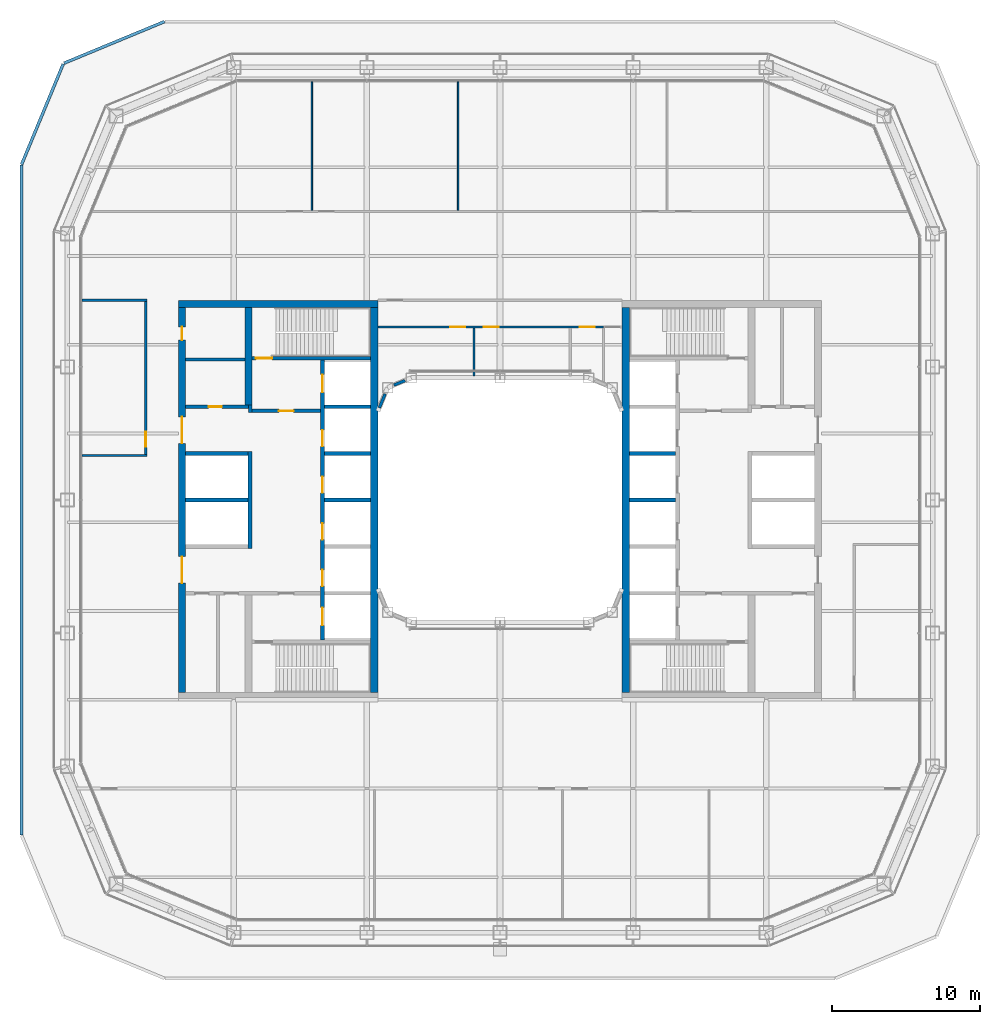
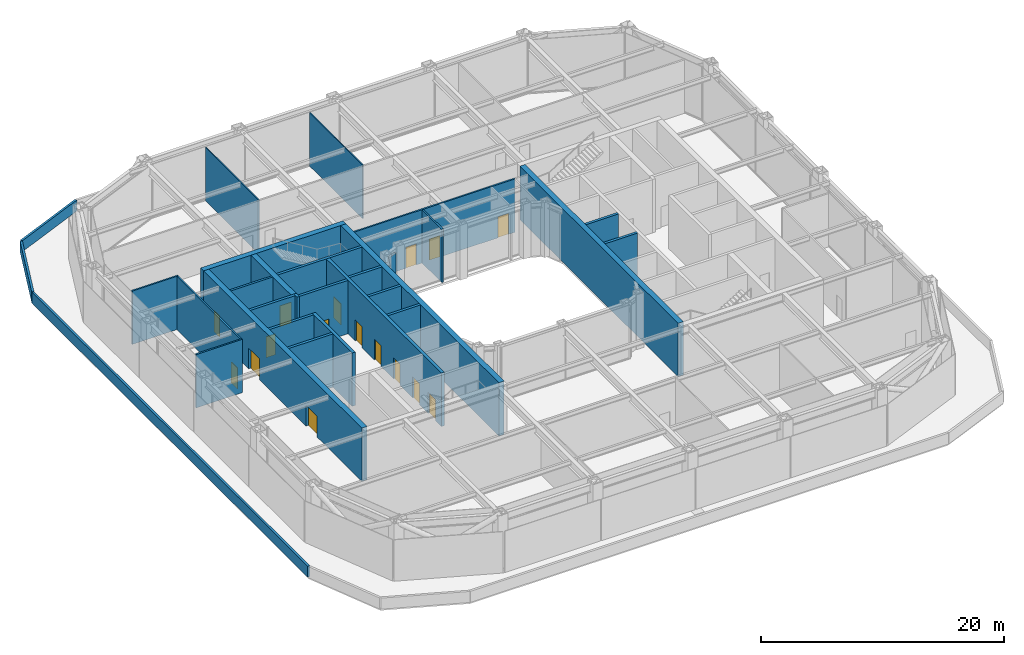
# One storey, part 12 of 21: 31 walls, 16 doors, 16 openings.
"""IFC4 building model written with IfcOpenShell, lengths in metres."""

from ifc_helpers import new_model, si_unit, direction, frame, frame_2d, origin, place, context, subcontext, project, spatial, rectangle, extrude, material, layer, layer_set, type_object, element, fill, save


model = new_model("IFC4")

# Units and contexts
model_context = context("Model", 3, precision=1e-05, world=origin(), true_north=direction((0.0, 1.0)))
body_context = subcontext(model_context, "Body", "Model", "MODEL_VIEW")
ifc_project = project(units=[si_unit("LENGTHUNIT", "METRE"), si_unit("AREAUNIT", "SQUARE_METRE"), si_unit("VOLUMEUNIT", "CUBIC_METRE"), si_unit("PLANEANGLEUNIT", "RADIAN"), si_unit("MASSUNIT", "GRAM", prefix="KILO")], contexts=[model_context])

# Site, building, storey
site_placement = place(None, origin())
site = spatial("IfcSite", under=ifc_project, at=site_placement, CompositionType="ELEMENT")
building_placement = place(site_placement, origin())
building = spatial("IfcBuilding", under=site, at=building_placement, Name="Siwar Civic Tower", CompositionType="ELEMENT")
storey_placement = place(building_placement, frame((0.0, 0.0, 99.199951171875)))
storey = spatial("IfcBuildingStorey", under=building, at=storey_placement, Name="L21", CompositionType="ELEMENT", Elevation=99.199951171875)

# Wall
ifc_material_1 = material(Name="Gypsum board on steel studs", Category="steel")
ifc_layer_1 = layer(ifc_material_1, 0.199951171875)
ifc_layer_set_1 = layer_set([ifc_layer_1], Name="Gypsum board on steel studs")
wall_type_1 = type_object("IfcWallType", Name="CORE-PARTITION-200", PredefinedType="PARTITIONING", material=ifc_layer_set_1)
wall_1_placement = place(storey_placement, frame((-17.25, 9.5, 0.0), z_axis=(0.0, 0.0, 1.0), x_axis=(-1.0, 0.0, 0.0)))
element("IfcWall", 1, at=wall_1_placement, inside=storey, type_object=wall_type_1, Name="Core partition W", PredefinedType="PARTITIONING", context=body_context, shape_type="SweptSolid", body=[
    extrude(rectangle(XDim=4.0, YDim=0.199951171875, at=frame_2d((2.0, 0.0))), origin(), (0.0, 0.0, 1.0), 5.35009765625),
])

# Wall, opening, door
ifc_material_2 = material(Name="Concrete C60/75", Category="concrete")
ifc_layer_2 = layer(ifc_material_2, 0.25)
ifc_layer_set_2 = layer_set([ifc_layer_2], Name="Concrete C60/75")
wall_type_2 = type_object("IfcWallType", Name="CORE-WALL-RC250", PredefinedType="SHEAR", material=ifc_layer_set_2)
wall_2_placement = place(storey_placement, frame((-12.14990234375, 6.02490234375, 0.0), z_axis=(0.0, 0.0, 1.0), x_axis=(-1.0, 0.0, 0.0)))
wall_2 = element("IfcWall", 2, at=wall_2_placement, inside=storey, type_object=wall_type_2, Name="Core wall W", PredefinedType="SHEAR", context=body_context, shape_type="SweptSolid", body=[
    extrude(rectangle(XDim=4.60009765625, YDim=0.25, at=frame_2d((2.300048828125, 0.0))), origin(), (0.0, 0.0, 1.0), 5.35009765625),
])
opening_1_placement = place(wall_2_placement, frame((1.800048828125, 0.0, 0.0)))
opening_1 = element("IfcOpeningElement", 3, at=opening_1_placement, cuts=wall_2, Name="Opening L21-CW01", PredefinedType="OPENING", context=body_context, shape_type="SweptSolid", body=[
    extrude(rectangle(XDim=1.0, YDim=2.10009765625, at=frame_2d((0.5, 1.050048828125))), frame((0.0, 0.135009765625, 0.0), z_axis=(0.0, -1.0, 0.0), x_axis=(1.0, 0.0, 0.0)), (0.0, 0.0, 1.0), 0.27001953125),
])
ifc_material_3 = material(Name="Steel door leaf", Category="steel")
door_type_1 = type_object("IfcDoorType", Name="CORE-DOOR-FD30S", OperationType="SINGLE_SWING_LEFT", PredefinedType="DOOR", material=ifc_material_3)
door_1_placement = place(opening_1_placement, origin())
door_1 = element("IfcDoor", 4, at=door_1_placement, inside=storey, type_object=door_type_1, Name="Firefighting lobby door L21-CW01", OperationType="SINGLE_SWING_LEFT", OverallHeight=2.10009765625, OverallWidth=1.0, PredefinedType="DOOR", context=body_context, shape_type="SweptSolid", body=[
    extrude(rectangle(XDim=1.0, YDim=2.10009765625, at=frame_2d((0.5, 1.050048828125))), frame((0.0, 0.02490234375, 0.0), z_axis=(0.0, -1.0, 0.0), x_axis=(1.0, 0.0, 0.0)), (0.0, 0.0, 1.0), 0.050048828125),
])
fill(opening_1, door_1)

# Wall
wall_3_placement = place(storey_placement, frame((-16.875, 5.89990234375, 0.0), z_axis=(0.0, 0.0, 1.0), x_axis=(0.0, 1.0, 0.0)))
element("IfcWall", 5, at=wall_3_placement, inside=storey, type_object=wall_type_2, Name="Core wall W", PredefinedType="SHEAR", context=body_context, shape_type="SweptSolid", body=[
    extrude(rectangle(XDim=0.525146484375, YDim=0.25, at=frame_2d((0.2626953125, 0.0))), origin(), (0.0, 0.0, 1.0), 5.35009765625),
])

# Wall, opening, door
wall_4_placement = place(storey_placement, frame((-17.0, 6.300048828125, 0.0), z_axis=(0.0, 0.0, 1.0), x_axis=(-1.0, 0.0, 0.0)))
wall_4 = element("IfcWall", 6, at=wall_4_placement, inside=storey, type_object=wall_type_2, Name="Core wall W", PredefinedType="SHEAR", context=body_context, shape_type="SweptSolid", body=[
    extrude(rectangle(XDim=4.25, YDim=0.25, at=frame_2d((2.125, 0.0))), origin(), (0.0, 0.0, 1.0), 5.35009765625),
])
opening_2_placement = place(wall_4_placement, frame((1.800048828125, 0.0, 0.0)))
opening_2 = element("IfcOpeningElement", 7, at=opening_2_placement, cuts=wall_4, Name="Opening L21-CW13", PredefinedType="OPENING", context=body_context, shape_type="SweptSolid", body=[
    extrude(rectangle(XDim=0.89990234375, YDim=2.10009765625, at=frame_2d((0.449951171875, 1.050048828125))), frame((0.0, 0.135009765625, 0.0), z_axis=(0.0, -1.0, 0.0), x_axis=(1.0, 0.0, 0.0)), (0.0, 0.0, 1.0), 0.27001953125),
])
ifc_material_4 = material(Name="Steel door leaf", Category="steel")
door_type_2 = type_object("IfcDoorType", Name="CORE-DOOR-ROOM", OperationType="SINGLE_SWING_LEFT", PredefinedType="DOOR", material=ifc_material_4)
door_2_placement = place(opening_2_placement, origin())
door_2 = element("IfcDoor", 8, at=door_2_placement, inside=storey, type_object=door_type_2, Name="Core room door L21-CW13", OperationType="SINGLE_SWING_LEFT", OverallHeight=2.10009765625, OverallWidth=0.89990234375, PredefinedType="DOOR", context=body_context, shape_type="SweptSolid", body=[
    extrude(rectangle(XDim=0.89990234375, YDim=2.10009765625, at=frame_2d((0.449951171875, 1.050048828125))), frame((0.0, 0.02490234375, 0.0), z_axis=(0.0, -1.0, 0.0), x_axis=(1.0, 0.0, 0.0)), (0.0, 0.0, 1.0), 0.050048828125),
])
fill(opening_2, door_2)

# Walls
for number, where, z_axis, x_axis, name in (
    (9, (-17.050048828125, 0.0, 0.0), (0.0, 0.0, 1.0), (-1.0, 0.0, 0.0), "Core wall W"),
    (10, (-17.050048828125, 3.14990234375, 0.0), (0.0, 0.0, 1.0), (-1.0, 0.0, 0.0), "Core wall W"),
):
    element("IfcWall", number, at=place(storey_placement, frame(where, z_axis=z_axis, x_axis=x_axis)), inside=storey, type_object=wall_type_2, Name=name, PredefinedType="SHEAR", context=body_context, shape_type="SweptSolid", body=[
        extrude(rectangle(XDim=4.199951171875, YDim=0.25, at=frame_2d((2.10009765625, 0.0))), origin(), (0.0, 0.0, 1.0), 5.35009765625),
    ])
for number, where, z_axis, x_axis, name in (
    (11, (-8.75, 0.0, 0.0), (0.0, 0.0, 1.0), (-1.0, 0.0, 0.0), "Core wall W"),
    (12, (-8.75, 3.14990234375, 0.0), (0.0, 0.0, 1.0), (-1.0, 0.0, 0.0), "Core wall W"),
    (13, (-8.75, 6.300048828125, 0.0), (0.0, 0.0, 1.0), (-1.0, 0.0, 0.0), "Core wall W"),
):
    element("IfcWall", number, at=place(storey_placement, frame(where, z_axis=z_axis, x_axis=x_axis)), inside=storey, type_object=wall_type_2, Name=name, PredefinedType="SHEAR", context=body_context, shape_type="SweptSolid", body=[
        extrude(rectangle(XDim=3.10009765625, YDim=0.25, at=frame_2d((1.550048828125, 0.0))), origin(), (0.0, 0.0, 1.0), 5.35009765625),
    ])

# Wall, opening, door
wall_5_placement = place(storey_placement, frame((-8.75, 9.574951171875, 0.0), z_axis=(0.0, 0.0, 1.0), x_axis=(-1.0, 0.0, 0.0)))
wall_5 = element("IfcWall", 14, at=wall_5_placement, inside=storey, type_object=wall_type_2, Name="Core wall W", PredefinedType="SHEAR", context=body_context, shape_type="SweptSolid", body=[
    extrude(rectangle(XDim=8.0, YDim=0.25, at=frame_2d((4.0, 0.0))), origin(), (0.0, 0.0, 1.0), 5.35009765625),
])
opening_3_placement = place(wall_5_placement, frame((6.64990234375, 0.0, 0.0)))
opening_3 = element("IfcOpeningElement", 15, at=opening_3_placement, cuts=wall_5, Name="Opening L21-CW03", PredefinedType="OPENING", context=body_context, shape_type="SweptSolid", body=[
    extrude(rectangle(XDim=1.10009765625, YDim=2.10009765625, at=frame_2d((0.550048828125, 1.050048828125))), frame((0.0, 0.135009765625, 0.0), z_axis=(0.0, -1.0, 0.0), x_axis=(1.0, 0.0, 0.0)), (0.0, 0.0, 1.0), 0.27001953125),
])
ifc_material_5 = material(Name="Steel door leaf", Category="steel")
door_type_3 = type_object("IfcDoorType", Name="CORE-DOOR-FD60S", OperationType="SINGLE_SWING_LEFT", PredefinedType="DOOR", material=ifc_material_5)
door_3_placement = place(opening_3_placement, origin())
door_3 = element("IfcDoor", 16, at=door_3_placement, inside=storey, type_object=door_type_3, Name="Stair door L21-CW03", OperationType="SINGLE_SWING_RIGHT", OverallHeight=2.10009765625, OverallWidth=1.10009765625, PredefinedType="DOOR", context=body_context, shape_type="SweptSolid", body=[
    extrude(rectangle(XDim=1.10009765625, YDim=2.10009765625, at=frame_2d((0.550048828125, 1.050048828125))), frame((0.0, 0.02490234375, 0.0), z_axis=(0.0, -1.0, 0.0), x_axis=(1.0, 0.0, 0.0)), (0.0, 0.0, 1.0), 0.050048828125),
])
fill(opening_3, door_3)

# Walls
for number, where, z_axis, x_axis, name in (
    (17, (8.75, 0.0, 0.0), (0.0, 0.0, 1.0), (1.0, 0.0, 0.0), "Core wall E"),
    (18, (8.75, 3.14990234375, 0.0), (0.0, 0.0, 1.0), (1.0, 0.0, 0.0), "Core wall E"),
):
    element("IfcWall", number, at=place(storey_placement, frame(where, z_axis=z_axis, x_axis=x_axis)), inside=storey, type_object=wall_type_2, Name=name, PredefinedType="SHEAR", context=body_context, shape_type="SweptSolid", body=[
        extrude(rectangle(XDim=3.10009765625, YDim=0.25, at=frame_2d((1.550048828125, 0.0))), origin(), (0.0, 0.0, 1.0), 5.35009765625),
    ])

# Wall, openings, doors
ifc_material_6 = material(Name="Concrete C60/75", Category="concrete")
ifc_layer_3 = layer(ifc_material_6, 0.300048828125)
ifc_layer_set_3 = layer_set([ifc_layer_3], Name="Concrete C60/75")
wall_type_3 = type_object("IfcWallType", Name="CORE-WALL-RC300", PredefinedType="SHEAR", material=ifc_layer_set_3)
wall_6_placement = place(storey_placement, frame((-12.0, -9.449951171875, 0.0), z_axis=(0.0, 0.0, 1.0), x_axis=(0.0, 1.0, 0.0)))
wall_6 = element("IfcWall", 19, at=wall_6_placement, inside=storey, type_object=wall_type_3, Name="Core wall W", PredefinedType="SHEAR", context=body_context, shape_type="SweptSolid", body=[
    extrude(rectangle(XDim=18.89990234375, YDim=0.300048828125, at=frame_2d((9.449951171875, 0.0))), origin(), (0.0, 0.0, 1.0), 5.35009765625),
])
opening_4_placement = place(wall_6_placement, frame((3.625, 0.0, 0.0)))
opening_4 = element("IfcOpeningElement", 20, at=opening_4_placement, cuts=wall_6, Name="Opening L21-CW07", PredefinedType="OPENING", context=body_context, shape_type="SweptSolid", body=[
    extrude(rectangle(XDim=1.10009765625, YDim=2.10009765625, at=frame_2d((0.550048828125, 1.050048828125))), frame((0.0, 0.16015625, 0.0), z_axis=(0.0, -1.0, 0.0), x_axis=(1.0, 0.0, 0.0)), (0.0, 0.0, 1.0), 0.320068359375),
])
opening_5_placement = place(wall_6_placement, frame((6.77490234375, 0.0, 0.0)))
opening_5 = element("IfcOpeningElement", 21, at=opening_5_placement, cuts=wall_6, Name="Opening L21-CW08", PredefinedType="OPENING", context=body_context, shape_type="SweptSolid", body=[
    extrude(rectangle(XDim=1.10009765625, YDim=2.10009765625, at=frame_2d((0.550048828125, 1.050048828125))), frame((0.0, 0.16015625, 0.0), z_axis=(0.0, -1.0, 0.0), x_axis=(1.0, 0.0, 0.0)), (0.0, 0.0, 1.0), 0.320068359375),
])
opening_6_placement = place(wall_6_placement, frame((9.925048828125, 0.0, 0.0)))
opening_6 = element("IfcOpeningElement", 22, at=opening_6_placement, cuts=wall_6, Name="Opening L21-CW09", PredefinedType="OPENING", context=body_context, shape_type="SweptSolid", body=[
    extrude(rectangle(XDim=1.10009765625, YDim=2.10009765625, at=frame_2d((0.550048828125, 1.050048828125))), frame((0.0, 0.16015625, 0.0), z_axis=(0.0, -1.0, 0.0), x_axis=(1.0, 0.0, 0.0)), (0.0, 0.0, 1.0), 0.320068359375),
])
opening_7_placement = place(wall_6_placement, frame((13.074951171875, 0.0, 0.0)))
opening_7 = element("IfcOpeningElement", 23, at=opening_7_placement, cuts=wall_6, Name="Opening L21-CW10", PredefinedType="OPENING", context=body_context, shape_type="SweptSolid", body=[
    extrude(rectangle(XDim=1.10009765625, YDim=2.10009765625, at=frame_2d((0.550048828125, 1.050048828125))), frame((0.0, 0.16015625, 0.0), z_axis=(0.0, -1.0, 0.0), x_axis=(1.0, 0.0, 0.0)), (0.0, 0.0, 1.0), 0.320068359375),
])
opening_8_placement = place(wall_6_placement, frame((16.72509765625, 0.0, 0.0)))
opening_8 = element("IfcOpeningElement", 24, at=opening_8_placement, cuts=wall_6, Name="Opening L21-CW11", PredefinedType="OPENING", context=body_context, shape_type="SweptSolid", body=[
    extrude(rectangle(XDim=1.199951171875, YDim=2.10009765625, at=frame_2d((0.60009765625, 1.050048828125))), frame((0.0, 0.16015625, 0.0), z_axis=(0.0, -1.0, 0.0), x_axis=(1.0, 0.0, 0.0)), (0.0, 0.0, 1.0), 0.320068359375),
])
opening_9_placement = place(wall_6_placement, frame((0.97509765625, 0.0, 0.0)))
opening_9 = element("IfcOpeningElement", 25, at=opening_9_placement, cuts=wall_6, Name="Opening L21-CW12", PredefinedType="OPENING", context=body_context, shape_type="SweptSolid", body=[
    extrude(rectangle(XDim=1.199951171875, YDim=2.10009765625, at=frame_2d((0.60009765625, 1.050048828125))), frame((0.0, 0.16015625, 0.0), z_axis=(0.0, -1.0, 0.0), x_axis=(1.0, 0.0, 0.0)), (0.0, 0.0, 1.0), 0.320068359375),
])
ifc_material_7 = material(Name="Steel door leaf", Category="steel")
door_type_4 = type_object("IfcDoorType", Name="CORE-DOOR-LD", OperationType="DOUBLE_DOOR_SLIDING", PredefinedType="DOOR", material=ifc_material_7)
door_4_placement = place(opening_4_placement, origin())
door_4 = element("IfcDoor", 26, at=door_4_placement, inside=storey, type_object=door_type_4, Name="Landing door LR1 L21-CW07", OperationType="DOUBLE_DOOR_SLIDING", OverallHeight=2.10009765625, OverallWidth=1.10009765625, PredefinedType="DOOR", context=body_context, shape_type="SweptSolid", body=[
    extrude(rectangle(XDim=1.10009765625, YDim=2.10009765625, at=frame_2d((0.550048828125, 1.050048828125))), frame((0.0, 0.02490234375, 0.0), z_axis=(0.0, -1.0, 0.0), x_axis=(1.0, 0.0, 0.0)), (0.0, 0.0, 1.0), 0.050048828125),
])
fill(opening_4, door_4)
door_5_placement = place(opening_5_placement, origin())
door_5 = element("IfcDoor", 27, at=door_5_placement, inside=storey, type_object=door_type_4, Name="Landing door LR2 L21-CW08", OperationType="DOUBLE_DOOR_SLIDING", OverallHeight=2.10009765625, OverallWidth=1.10009765625, PredefinedType="DOOR", context=body_context, shape_type="SweptSolid", body=[
    extrude(rectangle(XDim=1.10009765625, YDim=2.10009765625, at=frame_2d((0.550048828125, 1.050048828125))), frame((0.0, 0.02490234375, 0.0), z_axis=(0.0, -1.0, 0.0), x_axis=(1.0, 0.0, 0.0)), (0.0, 0.0, 1.0), 0.050048828125),
])
fill(opening_5, door_5)
door_6_placement = place(opening_6_placement, origin())
door_6 = element("IfcDoor", 28, at=door_6_placement, inside=storey, type_object=door_type_4, Name="Landing door LR3 L21-CW09", OperationType="DOUBLE_DOOR_SLIDING", OverallHeight=2.10009765625, OverallWidth=1.10009765625, PredefinedType="DOOR", context=body_context, shape_type="SweptSolid", body=[
    extrude(rectangle(XDim=1.10009765625, YDim=2.10009765625, at=frame_2d((0.550048828125, 1.050048828125))), frame((0.0, 0.02490234375, 0.0), z_axis=(0.0, -1.0, 0.0), x_axis=(1.0, 0.0, 0.0)), (0.0, 0.0, 1.0), 0.050048828125),
])
fill(opening_6, door_6)
door_7_placement = place(opening_7_placement, origin())
door_7 = element("IfcDoor", 29, at=door_7_placement, inside=storey, type_object=door_type_4, Name="Landing door LR4 L21-CW10", OperationType="DOUBLE_DOOR_SLIDING", OverallHeight=2.10009765625, OverallWidth=1.10009765625, PredefinedType="DOOR", context=body_context, shape_type="SweptSolid", body=[
    extrude(rectangle(XDim=1.10009765625, YDim=2.10009765625, at=frame_2d((0.550048828125, 1.050048828125))), frame((0.0, 0.02490234375, 0.0), z_axis=(0.0, -1.0, 0.0), x_axis=(1.0, 0.0, 0.0)), (0.0, 0.0, 1.0), 0.050048828125),
])
fill(opening_7, door_7)
ifc_material_8 = material(Name="Steel door leaf", Category="steel")
door_type_5 = type_object("IfcDoorType", Name="CORE-DOOR-LDW", OperationType="DOUBLE_DOOR_SLIDING", PredefinedType="DOOR", material=ifc_material_8)
door_8_placement = place(opening_8_placement, origin())
door_8 = element("IfcDoor", 30, at=door_8_placement, inside=storey, type_object=door_type_5, Name="Landing door FF1 L21-CW11", OperationType="DOUBLE_DOOR_SLIDING", OverallHeight=2.10009765625, OverallWidth=1.199951171875, PredefinedType="DOOR", context=body_context, shape_type="SweptSolid", body=[
    extrude(rectangle(XDim=1.199951171875, YDim=2.10009765625, at=frame_2d((0.60009765625, 1.050048828125))), frame((0.0, 0.02490234375, 0.0), z_axis=(0.0, -1.0, 0.0), x_axis=(1.0, 0.0, 0.0)), (0.0, 0.0, 1.0), 0.050048828125),
])
fill(opening_8, door_8)
door_9_placement = place(opening_9_placement, origin())
door_9 = element("IfcDoor", 31, at=door_9_placement, inside=storey, type_object=door_type_5, Name="Landing door SV1 L21-CW12", OperationType="DOUBLE_DOOR_SLIDING", OverallHeight=2.10009765625, OverallWidth=1.199951171875, PredefinedType="DOOR", context=body_context, shape_type="SweptSolid", body=[
    extrude(rectangle(XDim=1.199951171875, YDim=2.10009765625, at=frame_2d((0.60009765625, 1.050048828125))), frame((0.0, 0.02490234375, 0.0), z_axis=(0.0, -1.0, 0.0), x_axis=(1.0, 0.0, 0.0)), (0.0, 0.0, 1.0), 0.050048828125),
])
fill(opening_9, door_9)

# Wall
wall_7_placement = place(storey_placement, frame((-16.89990234375, -3.27490234375, 0.0), z_axis=(0.0, 0.0, 1.0), x_axis=(0.0, 1.0, 0.0)))
element("IfcWall", 32, at=wall_7_placement, inside=storey, type_object=wall_type_3, Name="Core wall W", PredefinedType="SHEAR", context=body_context, shape_type="SweptSolid", body=[
    extrude(rectangle(XDim=6.5498046875, YDim=0.300048828125, at=frame_2d((3.27490234375, 0.0))), origin(), (0.0, 0.0, 1.0), 5.35009765625),
])

# Wall, openings, doors
ifc_material_9 = material(Name="Concrete C60/75", Category="concrete")
ifc_layer_4 = layer(ifc_material_9, 0.5)
ifc_layer_set_4 = layer_set([ifc_layer_4], Name="Concrete C60/75")
wall_type_4 = type_object("IfcWallType", Name="CORE-WALL-RC500", PredefinedType="SHEAR", material=ifc_layer_set_4)
wall_8_placement = place(storey_placement, frame((-21.5, -13.0, 0.0), z_axis=(0.0, 0.0, 1.0), x_axis=(0.0, 1.0, 0.0)))
wall_8 = element("IfcWall", 33, at=wall_8_placement, inside=storey, type_object=wall_type_4, Name="Core wall W", PredefinedType="SHEAR", context=body_context, shape_type="SweptSolid", body=[
    extrude(rectangle(XDim=26.0, YDim=0.5, at=frame_2d((13.0, 0.0))), origin(), (0.0, 0.0, 1.0), 5.35009765625),
])
opening_10_placement = place(wall_8_placement, frame((16.824951171875, 0.0, 0.0)))
opening_10 = element("IfcOpeningElement", 34, at=opening_10_placement, cuts=wall_8, Name="Opening L21-CW05", PredefinedType="OPENING", context=body_context, shape_type="SweptSolid", body=[
    extrude(rectangle(XDim=1.800048828125, YDim=2.10009765625, at=frame_2d((0.89990234375, 1.050048828125))), frame((0.0, 0.260009765625, 0.0), z_axis=(0.0, -1.0, 0.0), x_axis=(1.0, 0.0, 0.0)), (0.0, 0.0, 1.0), 0.52001953125),
])
opening_11_placement = place(wall_8_placement, frame((7.375, 0.0, 0.0)))
opening_11 = element("IfcOpeningElement", 35, at=opening_11_placement, cuts=wall_8, Name="Opening L21-CW06", PredefinedType="OPENING", context=body_context, shape_type="SweptSolid", body=[
    extrude(rectangle(XDim=1.800048828125, YDim=2.10009765625, at=frame_2d((0.89990234375, 1.050048828125))), frame((0.0, 0.260009765625, 0.0), z_axis=(0.0, -1.0, 0.0), x_axis=(1.0, 0.0, 0.0)), (0.0, 0.0, 1.0), 0.52001953125),
])
opening_12_placement = place(wall_8_placement, frame((23.800048828125, 0.0, 0.0)))
opening_12 = element("IfcOpeningElement", 36, at=opening_12_placement, cuts=wall_8, Name="Opening L21-CW14", PredefinedType="OPENING", context=body_context, shape_type="SweptSolid", body=[
    extrude(rectangle(XDim=0.89990234375, YDim=2.10009765625, at=frame_2d((0.449951171875, 1.050048828125))), frame((0.0, 0.260009765625, 0.0), z_axis=(0.0, -1.0, 0.0), x_axis=(1.0, 0.0, 0.0)), (0.0, 0.0, 1.0), 0.52001953125),
])
ifc_material_10 = material(Name="Steel door leaf", Category="steel")
door_type_6 = type_object("IfcDoorType", Name="CORE-DOOR-PORT", OperationType="DOUBLE_DOOR_DOUBLE_SWING", PredefinedType="DOOR", material=ifc_material_10)
door_10_placement = place(opening_10_placement, origin())
door_10 = element("IfcDoor", 37, at=door_10_placement, inside=storey, type_object=door_type_6, Name="Core entrance door L21-CW05", OperationType="DOUBLE_DOOR_DOUBLE_SWING", OverallHeight=2.10009765625, OverallWidth=1.800048828125, PredefinedType="DOOR", context=body_context, shape_type="SweptSolid", body=[
    extrude(rectangle(XDim=1.800048828125, YDim=2.10009765625, at=frame_2d((0.89990234375, 1.050048828125))), frame((0.0, 0.02490234375, 0.0), z_axis=(0.0, -1.0, 0.0), x_axis=(1.0, 0.0, 0.0)), (0.0, 0.0, 1.0), 0.050048828125),
])
fill(opening_10, door_10)
door_11_placement = place(opening_11_placement, origin())
door_11 = element("IfcDoor", 38, at=door_11_placement, inside=storey, type_object=door_type_6, Name="Core entrance door L21-CW06", OperationType="DOUBLE_DOOR_DOUBLE_SWING", OverallHeight=2.10009765625, OverallWidth=1.800048828125, PredefinedType="DOOR", context=body_context, shape_type="SweptSolid", body=[
    extrude(rectangle(XDim=1.800048828125, YDim=2.10009765625, at=frame_2d((0.89990234375, 1.050048828125))), frame((0.0, 0.02490234375, 0.0), z_axis=(0.0, -1.0, 0.0), x_axis=(1.0, 0.0, 0.0)), (0.0, 0.0, 1.0), 0.050048828125),
])
fill(opening_11, door_11)
door_12_placement = place(opening_12_placement, origin())
door_12 = element("IfcDoor", 39, at=door_12_placement, inside=storey, type_object=door_type_2, Name="Core room door L21-CW14", OperationType="SINGLE_SWING_LEFT", OverallHeight=2.10009765625, OverallWidth=0.89990234375, PredefinedType="DOOR", context=body_context, shape_type="SweptSolid", body=[
    extrude(rectangle(XDim=0.89990234375, YDim=2.10009765625, at=frame_2d((0.449951171875, 1.050048828125))), frame((0.0, 0.02490234375, 0.0), z_axis=(0.0, -1.0, 0.0), x_axis=(1.0, 0.0, 0.0)), (0.0, 0.0, 1.0), 0.050048828125),
])
fill(opening_12, door_12)

# Walls
wall_9_placement = place(storey_placement, frame((-17.0, 6.425048828125, 0.0), z_axis=(0.0, 0.0, 1.0), x_axis=(0.0, 1.0, 0.0)))
element("IfcWall", 40, at=wall_9_placement, inside=storey, type_object=wall_type_4, Name="Core wall W", PredefinedType="SHEAR", context=body_context, shape_type="SweptSolid", body=[
    extrude(rectangle(XDim=6.574951171875, YDim=0.5, at=frame_2d((3.28759765625, 0.0))), origin(), (0.0, 0.0, 1.0), 5.35009765625),
])
wall_10_placement = place(storey_placement, frame((-8.25, 13.25, 0.0), z_axis=(0.0, 0.0, 1.0), x_axis=(-1.0, 0.0, 0.0)))
element("IfcWall", 41, at=wall_10_placement, inside=storey, type_object=wall_type_4, Name="Core wall W", PredefinedType="SHEAR", context=body_context, shape_type="SweptSolid", body=[
    extrude(rectangle(XDim=13.5, YDim=0.5, at=frame_2d((6.75, 0.0))), origin(), (0.0, 0.0, 1.0), 5.35009765625),
])
ifc_material_11 = material(Name="Concrete C60/75", Category="concrete")
ifc_layer_5 = layer(ifc_material_11, 0.5)
ifc_layer_set_5 = layer_set([ifc_layer_5], Name="Concrete C60/75")
wall_type_5 = type_object("IfcWallType", Name="CORE-WALL-RC500-EXT", PredefinedType="SHEAR", material=ifc_layer_set_5)
for number, where, z_axis, x_axis, name in (
    (42, (-8.5, -13.0, 0.0), (0.0, 0.0, 1.0), (0.0, 1.0, 0.0), "Core wall W"),
    (43, (8.5, -13.0, 0.0), (0.0, 0.0, 1.0), (0.0, 1.0, 0.0), "Core wall E"),
):
    element("IfcWall", number, at=place(storey_placement, frame(where, z_axis=z_axis, x_axis=x_axis)), inside=storey, type_object=wall_type_5, Name=name, PredefinedType="SHEAR", context=body_context, shape_type="SweptSolid", body=[
        extrude(rectangle(XDim=26.0, YDim=0.5, at=frame_2d((13.0, 0.0))), origin(), (0.0, 0.0, 1.0), 5.35009765625),
    ])
ifc_material_12 = material(Name="Gypsum board on steel studs", Category="steel")
ifc_layer_6 = layer(ifc_material_12, 0.14990234375)
ifc_layer_set_6 = layer_set([ifc_layer_6], Name="Gypsum board on steel studs")
wall_type_6 = type_object("IfcWallType", Name="CORRIDOR PARTITION 150 EI 30", PredefinedType="PARTITIONING", material=ifc_layer_set_6)
wall_11_placement = place(storey_placement, frame((-28.260009765625, 3.0, 0.0), z_axis=(0.0, 0.0, 1.0), x_axis=(1.0, 0.0, 0.0)))
element("IfcWall", 44, at=wall_11_placement, inside=storey, type_object=wall_type_6, Name="L21/wall/P04", PredefinedType="PARTITIONING", context=body_context, shape_type="SweptSolid", body=[
    extrude(rectangle(XDim=4.385009765625, YDim=0.14990234375, at=frame_2d((2.1923828125, 0.0))), origin(), (0.0, 0.0, 1.0), 5.35009765625),
])

# Wall, openings, doors
wall_12_placement = place(storey_placement, frame((-8.25, 11.699951171875, 0.0), z_axis=(0.0, 0.0, 1.0), x_axis=(1.0, 0.0, 0.0)))
wall_12 = element("IfcWall", 45, at=wall_12_placement, inside=storey, type_object=wall_type_6, Name="L21/wall/P05", PredefinedType="PARTITIONING", context=body_context, shape_type="SweptSolid", body=[
    extrude(rectangle(XDim=15.25, YDim=0.14990234375, at=frame_2d((7.625, 0.0))), origin(), (0.0, 0.0, 1.0), 5.35009765625),
])
opening_13_placement = place(wall_12_placement, frame((4.89990234375, 0.0, 0.0)))
opening_13 = element("IfcOpeningElement", 46, at=opening_13_placement, cuts=wall_12, Name="Opening D3", PredefinedType="OPENING", context=body_context, shape_type="SweptSolid", body=[
    extrude(rectangle(XDim=1.0, YDim=2.10009765625, at=frame_2d((0.5, 1.050048828125))), frame((0.0, 0.0849609375, 0.0), z_axis=(0.0, -1.0, 0.0), x_axis=(1.0, 0.0, 0.0)), (0.0, 0.0, 1.0), 0.169921875),
])
opening_14_placement = place(wall_12_placement, frame((7.14990234375, 0.0, 0.0)))
opening_14 = element("IfcOpeningElement", 47, at=opening_14_placement, cuts=wall_12, Name="Opening D3", PredefinedType="OPENING", context=body_context, shape_type="SweptSolid", body=[
    extrude(rectangle(XDim=1.0, YDim=2.10009765625, at=frame_2d((0.5, 1.050048828125))), frame((0.0, 0.0849609375, 0.0), z_axis=(0.0, -1.0, 0.0), x_axis=(1.0, 0.0, 0.0)), (0.0, 0.0, 1.0), 0.169921875),
])
opening_15_placement = place(wall_12_placement, frame((13.64990234375, 0.0, 0.0)))
opening_15 = element("IfcOpeningElement", 48, at=opening_15_placement, cuts=wall_12, Name="Opening D3", PredefinedType="OPENING", context=body_context, shape_type="SweptSolid", body=[
    extrude(rectangle(XDim=1.0, YDim=2.10009765625, at=frame_2d((0.5, 1.050048828125))), frame((0.0, 0.0849609375, 0.0), z_axis=(0.0, -1.0, 0.0), x_axis=(1.0, 0.0, 0.0)), (0.0, 0.0, 1.0), 0.169921875),
])
ifc_material_13 = material(Name="Timber, painted", Category="wood")
door_type_7 = type_object("IfcDoorType", Name="DOOR 1000 X 2100 WC", OperationType="SINGLE_SWING_LEFT", PredefinedType="DOOR", material=ifc_material_13)
door_13_placement = place(opening_13_placement, origin())
door_13 = element("IfcDoor", 49, at=door_13_placement, inside=storey, type_object=door_type_7, Name="L21-D10", OperationType="SINGLE_SWING_RIGHT", OverallHeight=2.10009765625, OverallWidth=1.0, PredefinedType="DOOR", context=body_context, shape_type="SweptSolid", body=[
    extrude(rectangle(XDim=1.0, YDim=2.10009765625, at=frame_2d((0.5, 1.050048828125))), frame((0.0, 0.02490234375, 0.0), z_axis=(0.0, -1.0, 0.0), x_axis=(1.0, 0.0, 0.0)), (0.0, 0.0, 1.0), 0.050048828125),
])
fill(opening_13, door_13)
door_14_placement = place(opening_14_placement, origin())
door_14 = element("IfcDoor", 50, at=door_14_placement, inside=storey, type_object=door_type_7, Name="L21-D11", OperationType="SINGLE_SWING_LEFT", OverallHeight=2.10009765625, OverallWidth=1.0, PredefinedType="DOOR", context=body_context, shape_type="SweptSolid", body=[
    extrude(rectangle(XDim=1.0, YDim=2.10009765625, at=frame_2d((0.5, 1.050048828125))), frame((0.0, 0.02490234375, 0.0), z_axis=(0.0, -1.0, 0.0), x_axis=(1.0, 0.0, 0.0)), (0.0, 0.0, 1.0), 0.050048828125),
])
fill(opening_14, door_14)
door_15_placement = place(opening_15_placement, origin())
door_15 = element("IfcDoor", 51, at=door_15_placement, inside=storey, type_object=door_type_7, Name="L21-D12", OperationType="SINGLE_SWING_RIGHT", OverallHeight=2.10009765625, OverallWidth=1.0, PredefinedType="DOOR", context=body_context, shape_type="SweptSolid", body=[
    extrude(rectangle(XDim=1.0, YDim=2.10009765625, at=frame_2d((0.5, 1.050048828125))), frame((0.0, 0.02490234375, 0.0), z_axis=(0.0, -1.0, 0.0), x_axis=(1.0, 0.0, 0.0)), (0.0, 0.0, 1.0), 0.050048828125),
])
fill(opening_15, door_15)

# Wall
wall_13_placement = place(storey_placement, frame((-28.260009765625, 13.5, 0.0), z_axis=(0.0, 0.0, 1.0), x_axis=(1.0, 0.0, 0.0)))
element("IfcWall", 52, at=wall_13_placement, inside=storey, type_object=wall_type_6, Name="L21/wall/P07", PredefinedType="PARTITIONING", context=body_context, shape_type="SweptSolid", body=[
    extrude(rectangle(XDim=4.385009765625, YDim=0.14990234375, at=frame_2d((2.1923828125, 0.0))), origin(), (0.0, 0.0, 1.0), 5.35009765625),
])

# Wall, opening, door
wall_14_placement = place(storey_placement, frame((-23.949951171875, 3.074951171875, 0.0), z_axis=(0.0, 0.0, 1.0), x_axis=(0.0, 1.0, 0.0)))
wall_14 = element("IfcWall", 53, at=wall_14_placement, inside=storey, type_object=wall_type_6, Name="L21/wall/P10", PredefinedType="PARTITIONING", context=body_context, shape_type="SweptSolid", body=[
    extrude(rectangle(XDim=10.35009765625, YDim=0.14990234375, at=frame_2d((5.175048828125, 0.0))), origin(), (0.0, 0.0, 1.0), 5.35009765625),
])
opening_16_placement = place(wall_14_placement, frame((0.52490234375, 0.0, 0.0)))
opening_16 = element("IfcOpeningElement", 54, at=opening_16_placement, cuts=wall_14, Name="Opening D1", PredefinedType="OPENING", context=body_context, shape_type="SweptSolid", body=[
    extrude(rectangle(XDim=1.0, YDim=2.10009765625, at=frame_2d((0.5, 1.050048828125))), frame((0.0, 0.0849609375, 0.0), z_axis=(0.0, -1.0, 0.0), x_axis=(1.0, 0.0, 0.0)), (0.0, 0.0, 1.0), 0.169921875),
])
ifc_material_14 = material(Name="Timber, painted", Category="wood")
door_type_8 = type_object("IfcDoorType", Name="DOOR 1000 X 2100 FD30", OperationType="SINGLE_SWING_LEFT", PredefinedType="DOOR", material=ifc_material_14)
door_16_placement = place(opening_16_placement, origin())
door_16 = element("IfcDoor", 55, at=door_16_placement, inside=storey, type_object=door_type_8, Name="L21-D14", OperationType="SINGLE_SWING_RIGHT", OverallHeight=2.10009765625, OverallWidth=1.0, PredefinedType="DOOR", context=body_context, shape_type="SweptSolid", body=[
    extrude(rectangle(XDim=1.0, YDim=2.10009765625, at=frame_2d((0.5, 1.050048828125))), frame((0.0, 0.02490234375, 0.0), z_axis=(0.0, -1.0, 0.0), x_axis=(1.0, 0.0, 0.0)), (0.0, 0.0, 1.0), 0.050048828125),
])
fill(opening_16, door_16)

# Walls
wall_15_placement = place(storey_placement, frame((-1.75, 8.3701171875, 0.0), z_axis=(0.0, 0.0, 1.0), x_axis=(0.0, 1.0, 0.0)))
element("IfcWall", 56, at=wall_15_placement, inside=storey, type_object=wall_type_6, Name="L21/wall/P14", PredefinedType="PARTITIONING", context=body_context, shape_type="SweptSolid", body=[
    extrude(rectangle(XDim=3.2548828125, YDim=0.14990234375, at=frame_2d((1.62744140625, 0.0))), origin(), (0.0, 0.0, 1.0), 5.35009765625),
])
ifc_material_15 = material(Name="Aluminium clad insulated panel", Category="aluminium")
ifc_layer_7 = layer(ifc_material_15, 0.199951171875)
ifc_layer_set_7 = layer_set([ifc_layer_7], Name="Aluminium clad insulated panel")
wall_type_7 = type_object("IfcWallType", Name="ENV-PARAPET", PredefinedType="PARAPET", material=ifc_layer_set_7)
for number, where, z_axis, x_axis, name in (
    (57, (-22.6875, 32.34228515625, 0.0), (0.0, 0.0, 1.0), (-0.923879961605, -0.382682396439, 0.0), "Parapet L20 roof 1.9"),
    (58, (-29.5302734375, 29.476318359375, 0.0), (0.0, 0.0, 1.0), (-0.382682396439, -0.923879961605, 0.0), "Parapet L20 roof 1.10"),
):
    element("IfcWall", number, at=place(storey_placement, frame(where, z_axis=z_axis, x_axis=x_axis)), inside=storey, type_object=wall_type_7, Name=name, PredefinedType="PARAPET", context=body_context, shape_type="SweptSolid", body=[
        extrude(rectangle(XDim=7.34814453125, YDim=0.199951171875, at=frame_2d((3.674072265625, 0.0))), origin(), (0.0, 0.0, 1.0), 1.10009765625),
    ])
wall_16_placement = place(storey_placement, frame((-32.35009765625, 22.649169921875, 0.0), z_axis=(0.0, 0.0, 1.0), x_axis=(0.0, -1.0, 0.0)))
element("IfcWall", 59, at=wall_16_placement, inside=storey, type_object=wall_type_7, Name="Parapet L20 roof 1.11", PredefinedType="PARAPET", context=body_context, shape_type="SweptSolid", body=[
    extrude(rectangle(XDim=45.29833984375, YDim=0.199951171875, at=frame_2d((22.649169921875, 0.0))), origin(), (0.0, 0.0, 1.0), 1.10009765625),
])
ifc_material_16 = material(Name="Aluminium clad insulated panel", Category="aluminium")
ifc_layer_8 = layer(ifc_material_16, 0.199951171875)
ifc_layer_set_8 = layer_set([ifc_layer_8], Name="Aluminium clad insulated panel")
wall_type_8 = type_object("IfcWallType", Name="ENV-WALL-WELL", PredefinedType="STANDARD", material=ifc_layer_set_8)
wall_17_placement = place(storey_placement, frame((-6.422607421875, 8.074951171875, 0.0), z_axis=(0.0, 0.0, 1.0), x_axis=(-0.923817771127, -0.382832503518, 0.0)))
element("IfcWall", 60, at=wall_17_placement, inside=storey, type_object=wall_type_8, Name="Light well corner wall NW1", PredefinedType="STANDARD", context=body_context, shape_type="SweptSolid", body=[
    extrude(rectangle(XDim=0.807373046875, YDim=0.199951171875, at=frame_2d((0.40380859375, 0.0))), origin(), (0.0, 0.0, 1.0), 4.825927734375),
])
wall_18_placement = place(storey_placement, frame((-7.765869140625, 7.16845703125, 0.0), z_axis=(0.0, 0.0, 1.0), x_axis=(-0.382769662028, -0.923843810301, 0.0)))
element("IfcWall", 61, at=wall_18_placement, inside=storey, type_object=wall_type_8, Name="Light well corner wall NW2", PredefinedType="STANDARD", context=body_context, shape_type="SweptSolid", body=[
    extrude(rectangle(XDim=1.014892578125, YDim=0.199951171875, at=frame_2d((0.50732421875, 0.0))), origin(), (0.0, 0.0, 1.0), 4.825927734375),
])
ifc_material_17 = material(Name="Gypsum board on steel studs", Category="steel")
ifc_layer_9 = layer(ifc_material_17, 0.10009765625)
ifc_layer_set_9 = layer_set([ifc_layer_9], Name="Gypsum board on steel studs")
wall_type_9 = type_object("IfcWallType", Name="PARTITION 100 GYPSUM", PredefinedType="PARTITIONING", material=ifc_layer_set_9)
for number, where, z_axis, x_axis, name in (
    (62, (-12.719970703125, 19.574951171875, 0.0), (0.0, 0.0, 1.0), (0.0, 1.0, 0.0), "L21/wall/P11"),
    (63, (-2.830078125, 19.574951171875, 0.0), (0.0, 0.0, 1.0), (0.0, 1.0, 0.0), "L21/wall/P13"),
):
    element("IfcWall", number, at=place(storey_placement, frame(where, z_axis=z_axis, x_axis=x_axis)), inside=storey, type_object=wall_type_9, Name=name, PredefinedType="PARTITIONING", context=body_context, shape_type="SweptSolid", body=[
        extrude(rectangle(XDim=8.68505859375, YDim=0.10009765625, at=frame_2d((4.342529296875, 0.0))), origin(), (0.0, 0.0, 1.0), 5.35009765625),
    ])

save(model, "model.ifc")
